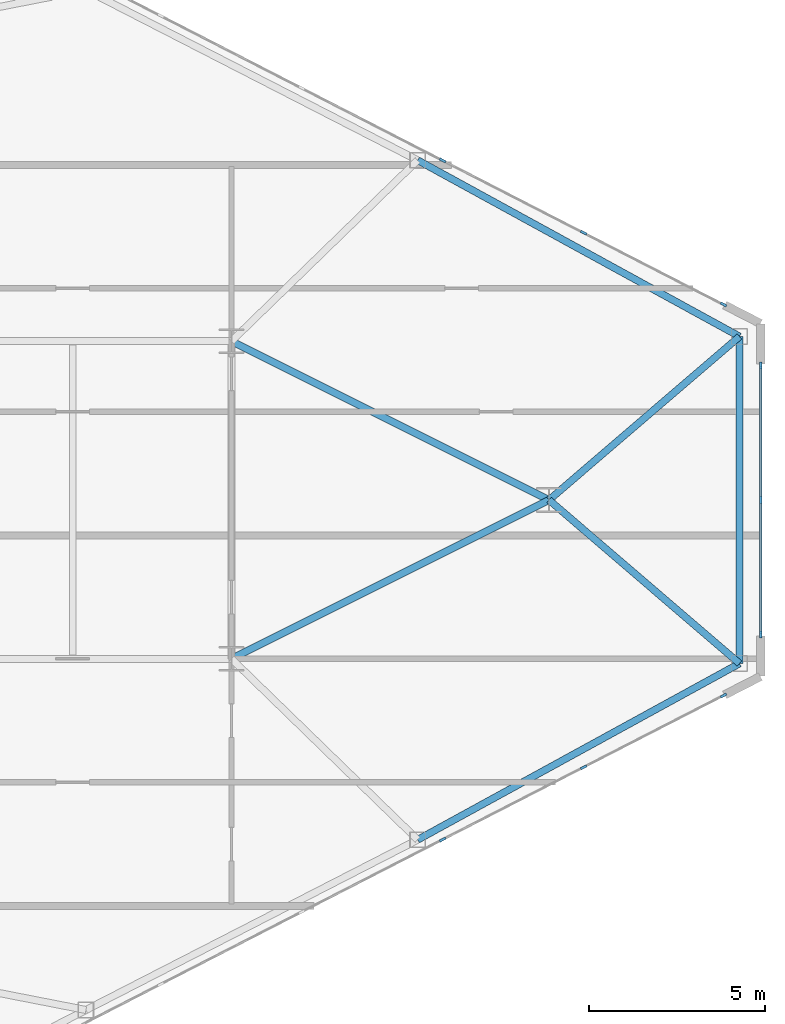
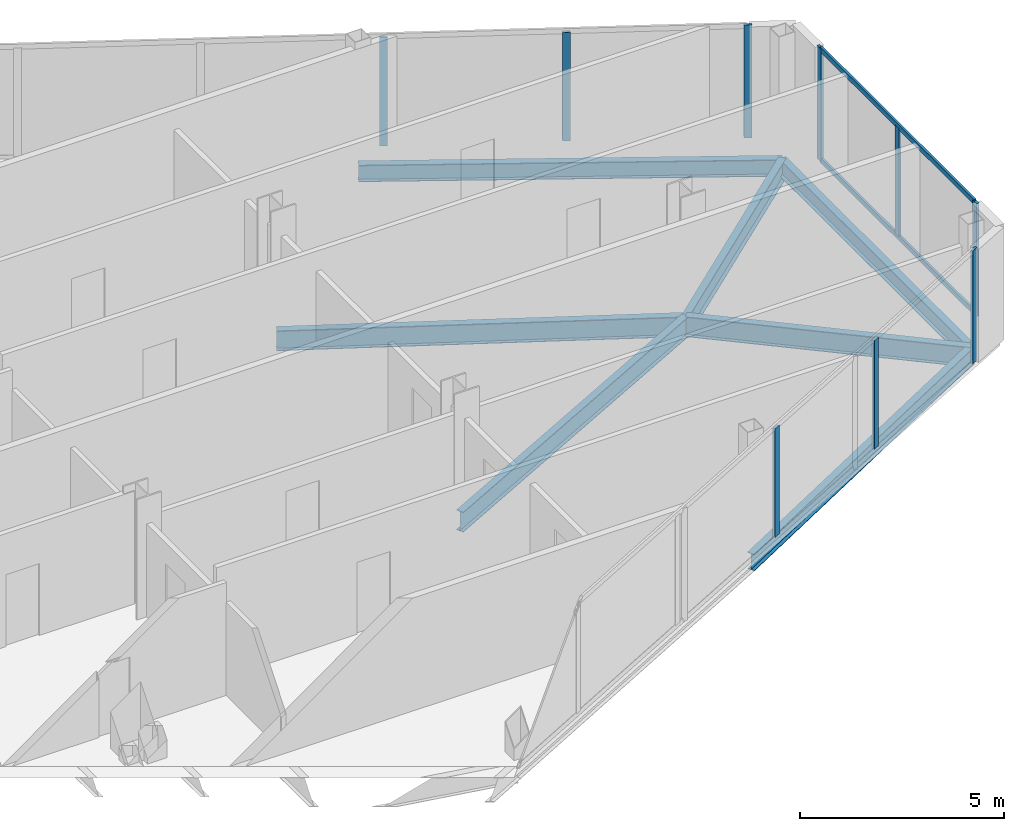
# One storey, part 13 of 23: 11 members, 7 beams, 3 elements without a shape of their own.
"""IFC4 building model written with IfcOpenShell, lengths in metres."""

from ifc_helpers import new_model, si_unit, direction, frame, origin, origin_2d, place, context, subcontext, project, spatial, rectangle, i_section, extrude, source, transform, mapped, material, layer, layer_set, material_profile, profile_set, type_object, type_shapes, element, aggregate, save


model = new_model("IFC4")

# Units and contexts
model_context = context("Model", 3, precision=1e-05, world=origin(), true_north=direction((0.0, 1.0)))
body_context = subcontext(model_context, "Body", "Model", "MODEL_VIEW")
ifc_project = project(units=[si_unit("LENGTHUNIT", "METRE"), si_unit("AREAUNIT", "SQUARE_METRE"), si_unit("VOLUMEUNIT", "CUBIC_METRE"), si_unit("PLANEANGLEUNIT", "RADIAN"), si_unit("MASSUNIT", "GRAM", prefix="KILO")], contexts=[model_context])

# Site, building, storey
site_placement = place(None, origin())
site = spatial("IfcSite", under=ifc_project, at=site_placement, CompositionType="ELEMENT")
building_placement = place(site_placement, origin())
building = spatial("IfcBuilding", under=site, at=building_placement, Name="Seokmaru Belvedere", CompositionType="ELEMENT")
storey_placement = place(building_placement, frame((0.0, 0.0, 147.60009765625)))
storey = spatial("IfcBuildingStorey", under=building, at=storey_placement, Name="L39", CompositionType="ELEMENT", Elevation=147.60009765625)

# Beams
ifc_material_1 = material(Name="Steel SM355 (355 MPa)", Category="steel")
ifc_material_profile_1 = material_profile(ifc_material_1, i_section(OverallWidth=0.199951171875, OverallDepth=0.60009765625, WebThickness=0.010986328125, FlangeThickness=0.01708984375, at=origin_2d()), Name="H-600x200x11x17")
ifc_profile_set_1 = profile_set([ifc_material_profile_1], Name="Steel SM355 (355 MPa)")
beam_type_1 = type_object("IfcBeamType", Name="Primary Floor Girder H-600", PredefinedType="BEAM", material=ifc_profile_set_1)
shared_shape_1 = source(origin(), body_context, "Body", "SweptSolid", [
    extrude(i_section(OverallWidth=0.199951171875, OverallDepth=0.60009765625, WebThickness=0.010986328125, FlangeThickness=0.01708984375, at=origin_2d()), origin(), (0.0, 0.0, 1.0), 10.062255859375),
])
for number, where, z_axis, x_axis, name in (
    (1, (54.5, -4.5, -0.52001953125), (0.894427191, 0.4472135955, 0.0), (-0.4472135955, 0.894427191, 0.0), "L39 E Apex Converging Girder 1"),
    (2, (54.5, 4.5, -0.52001953125), (0.894427191, -0.4472135955, 0.0), (0.4472135955, 0.894427191, 0.0), "L39 E Apex Converging Girder 2"),
):
    element("IfcBeam", number, at=place(storey_placement, frame(where, z_axis=z_axis, x_axis=x_axis)), inside=storey, type_object=beam_type_1, Name=name, PredefinedType="BEAM", context=body_context, shape_type="MappedRepresentation", body=[
        mapped(shared_shape_1, transform((0.0, 0.0, 0.0), scale=1.0)),
    ])
ifc_material_profile_2 = material_profile(ifc_material_1, i_section(OverallWidth=0.199951171875, OverallDepth=0.5, WebThickness=0.010009765625, FlangeThickness=0.01611328125, at=origin_2d()), Name="H-500x200x10x16")
ifc_profile_set_2 = profile_set([ifc_material_profile_2], Name="Steel SM355 (355 MPa)")
beam_type_2 = type_object("IfcBeamType", Name="Perimeter Spandrel Beam H-500", PredefinedType="SPANDREL", material=ifc_profile_set_2)
shared_shape_2 = source(origin(), body_context, "Body", "SweptSolid", [
    extrude(i_section(OverallWidth=0.199951171875, OverallDepth=0.5, WebThickness=0.010009765625, FlangeThickness=0.01611328125, at=origin_2d()), origin(), (0.0, 0.0, 1.0), 10.399658203125),
])
for number, where, z_axis, x_axis, name in (
    (3, (59.778564453125, -9.62890625, -0.47021484375), (0.877082374422, 0.480339992587, 0.0), (-0.480339992587, 0.877082374422, 0.0), "L39 E Faceted Flank Spandrel S-4"),
    (4, (59.778564453125, 9.62890625, -0.47021484375), (0.877082374422, -0.480339992587, 0.0), (0.480339992587, 0.877082374422, 0.0), "L39 E Faceted Flank Spandrel N-4"),
):
    element("IfcBeam", number, at=place(storey_placement, frame(where, z_axis=z_axis, x_axis=x_axis)), inside=storey, type_object=beam_type_2, Name=name, PredefinedType="SPANDREL", context=body_context, shape_type="MappedRepresentation", body=[
        mapped(shared_shape_2, transform((0.0, 0.0, 0.0), scale=1.0)),
    ])
shared_shape_3 = source(origin(), body_context, "Body", "SweptSolid", [
    extrude(i_section(OverallWidth=0.199951171875, OverallDepth=0.5, WebThickness=0.010009765625, FlangeThickness=0.01611328125, at=origin_2d()), origin(), (0.0, 0.0, 1.0), 9.26708984375),
])
type_shapes(beam_type_2, [shared_shape_2, shared_shape_3])
beam_placement = place(storey_placement, frame((68.89990234375, -4.633544921875, -0.47021484375), z_axis=(0.0, 1.0, 0.0), x_axis=(-1.0, 0.0, 0.0)))
element("IfcBeam", 5, at=beam_placement, inside=storey, type_object=beam_type_2, Name="L39 E Faceted Apex Spandrel", PredefinedType="SPANDREL", context=body_context, shape_type="MappedRepresentation", body=[
    mapped(shared_shape_3, transform((0.0, 0.0, 0.0), scale=1.0)),
])
shared_shape_4 = source(origin(), body_context, "Body", "SweptSolid", [
    extrude(i_section(OverallWidth=0.199951171875, OverallDepth=0.60009765625, WebThickness=0.010986328125, FlangeThickness=0.01708984375, at=origin_2d()), origin(), (0.0, 0.0, 1.0), 7.115478515625),
])
type_shapes(beam_type_1, [shared_shape_1, shared_shape_4])
for number, where, z_axis, x_axis, name in (
    (6, (68.89990234375, -4.633544921875, -0.52001953125), (-0.758905301881, 0.651201000289, 0.0), (-0.651201000289, -0.758905301881, 0.0), "L39 E Apex Radial Floor Girder 1"),
    (7, (68.89990234375, 4.633544921875, -0.52001953125), (-0.758905301881, -0.651201000289, 0.0), (0.651201000289, -0.758905301881, 0.0), "L39 E Apex Radial Floor Girder 2"),
):
    element("IfcBeam", number, at=place(storey_placement, frame(where, z_axis=z_axis, x_axis=x_axis)), inside=storey, type_object=beam_type_1, Name=name, PredefinedType="BEAM", context=body_context, shape_type="MappedRepresentation", body=[
        mapped(shared_shape_4, transform((0.0, 0.0, 0.0), scale=1.0)),
    ])

# Curtain wall, member
ifc_material_2 = material(Name="Bronze Triple Insulating Glass", Category="glass")
ifc_layer = layer(ifc_material_2, 0.195068359375)
ifc_layer_set = layer_set([ifc_layer], Name="Bronze Triple Insulating Glass")
curtain_wall_type = type_object("IfcCurtainWallType", Name="Sky-Lobby and Mid-Rise Curtain Wall System CW-4", PredefinedType="NOTDEFINED", material=ifc_layer_set)
curtain_wall_1_placement = place(storey_placement, origin())
curtain_wall_1 = element("IfcCurtainWall", 8, at=curtain_wall_1_placement, inside=storey, type_object=curtain_wall_type, Name="L39 Curtain Wall EF1", PredefinedType="NOTDEFINED")
ifc_material_3 = material(Name="Anodised Bronze Aluminium", Category="aluminium")
ifc_material_profile_3 = material_profile(ifc_material_3, rectangle(XDim=0.070068359375, YDim=0.195068359375, at=origin_2d()), Name="CW-M-70x195")
ifc_profile_set_3 = profile_set([ifc_material_profile_3], Name="Anodised Bronze Aluminium")
member_type_1 = type_object("IfcMemberType", Name="Bronze Unitised Mullion 70x195", PredefinedType="MULLION", material=ifc_profile_set_3)
shared_shape_5 = source(origin(), body_context, "Body", "SweptSolid", [
    extrude(rectangle(XDim=0.070068359375, YDim=0.195068359375, at=origin_2d()), origin(), (0.0, 0.0, 1.0), 3.3798828125),
])
member_1_placement = place(storey_placement, frame((68.44580078125, -5.541015625, 0.0), z_axis=(0.0, 0.0, 1.0), x_axis=(-0.456554528263, 0.889695432562, 0.0)))
member_1 = element("IfcMember", 9, at=member_1_placement, type_object=member_type_1, Name="CW:L39:EF1 Mullion 10", PredefinedType="MULLION", context=body_context, shape_type="MappedRepresentation", body=[
    mapped(shared_shape_5, transform((0.0, 0.0, 0.0), scale=1.0)),
])

# Curtain wall, members
curtain_wall_2_placement = place(storey_placement, origin())
curtain_wall_2 = element("IfcCurtainWall", 10, at=curtain_wall_2_placement, inside=storey, type_object=curtain_wall_type, Name="L39 Curtain Wall EF2", PredefinedType="NOTDEFINED")
member_2_placement = place(storey_placement, frame((69.5, -3.81494140625, 0.0), z_axis=(0.0, 0.0, 1.0), x_axis=(-1.0, 0.0, 0.0)))
member_2 = element("IfcMember", 11, at=member_2_placement, type_object=member_type_1, Name="CW:L39:EF2 Mullion 1", PredefinedType="MULLION", context=body_context, shape_type="MappedRepresentation", body=[
    mapped(shared_shape_5, transform((0.0, 0.0, 0.0), scale=1.0)),
])
member_3_placement = place(storey_placement, frame((69.5, 3.81494140625, 0.0), z_axis=(0.0, 0.0, 1.0), x_axis=(-1.0, 0.0, 0.0)))
member_3 = element("IfcMember", 12, at=member_3_placement, type_object=member_type_1, Name="CW:L39:EF2 Mullion 3", PredefinedType="MULLION", context=body_context, shape_type="MappedRepresentation", body=[
    mapped(shared_shape_5, transform((0.0, 0.0, 0.0), scale=1.0)),
])

# Curtain wall, member
curtain_wall_3_placement = place(storey_placement, origin())
curtain_wall_3 = element("IfcCurtainWall", 13, at=curtain_wall_3_placement, inside=storey, type_object=curtain_wall_type, Name="L39 Curtain Wall EF3", PredefinedType="NOTDEFINED")
member_4_placement = place(storey_placement, frame((68.44580078125, 5.541015625, 0.0), z_axis=(0.0, 0.0, 1.0), x_axis=(-0.456554528263, -0.889695432562, 0.0)))
member_4 = element("IfcMember", 14, at=member_4_placement, type_object=member_type_1, Name="CW:L39:EF3 Mullion 1", PredefinedType="MULLION", context=body_context, shape_type="MappedRepresentation", body=[
    mapped(shared_shape_5, transform((0.0, 0.0, 0.0), scale=1.0)),
])

# Member
shared_shape_6 = source(origin(), body_context, "Body", "SweptSolid", [
    extrude(rectangle(XDim=0.070068359375, YDim=0.195068359375, at=origin_2d()), origin(), (0.0, 0.0, 1.0), 3.25),
])
type_shapes(member_type_1, [shared_shape_5, shared_shape_6])
member_5_placement = place(storey_placement, frame((60.4873046875, -9.625, 0.06494140625), z_axis=(0.0, 0.0, 1.0), x_axis=(-0.456554528263, 0.889695432562, 0.0)))
member_5 = element("IfcMember", 15, at=member_5_placement, type_object=member_type_1, Name="CW:L39:EF1 Mullion 8", PredefinedType="MULLION", context=body_context, shape_type="MappedRepresentation", body=[
    mapped(shared_shape_6, transform((0.0, 0.0, 0.0), scale=1.0)),
])

member_6_placement = place(storey_placement, frame((64.48193359375, -7.574951171875, 0.06494140625), z_axis=(0.0, 0.0, 1.0), x_axis=(-0.456554528263, 0.889695432562, 0.0)))
member_6 = element("IfcMember", 16, at=member_6_placement, type_object=member_type_1, Name="CW:L39:EF1 Mullion 9", PredefinedType="MULLION", context=body_context, shape_type="MappedRepresentation", body=[
    mapped(shared_shape_6, transform((0.0, 0.0, 0.0), scale=1.0)),
])

aggregate(curtain_wall_1, [member_5, member_6, member_1])

member_7_placement = place(storey_placement, frame((69.5, 0.0, 0.06494140625), z_axis=(0.0, 0.0, 1.0), x_axis=(-1.0, 0.0, 0.0)))
member_7 = element("IfcMember", 17, at=member_7_placement, type_object=member_type_1, Name="CW:L39:EF2 Mullion 2", PredefinedType="MULLION", context=body_context, shape_type="MappedRepresentation", body=[
    mapped(shared_shape_6, transform((0.0, 0.0, 0.0), scale=1.0)),
])

member_8_placement = place(storey_placement, frame((64.48193359375, 7.574951171875, 0.06494140625), z_axis=(0.0, 0.0, 1.0), x_axis=(-0.456554528263, -0.889695432562, 0.0)))
member_8 = element("IfcMember", 18, at=member_8_placement, type_object=member_type_1, Name="CW:L39:EF3 Mullion 2", PredefinedType="MULLION", context=body_context, shape_type="MappedRepresentation", body=[
    mapped(shared_shape_6, transform((0.0, 0.0, 0.0), scale=1.0)),
])

member_9_placement = place(storey_placement, frame((60.4873046875, 9.625, 0.06494140625), z_axis=(0.0, 0.0, 1.0), x_axis=(-0.456554528263, -0.889695432562, 0.0)))
member_9 = element("IfcMember", 19, at=member_9_placement, type_object=member_type_1, Name="CW:L39:EF3 Mullion 3", PredefinedType="MULLION", context=body_context, shape_type="MappedRepresentation", body=[
    mapped(shared_shape_6, transform((0.0, 0.0, 0.0), scale=1.0)),
])

aggregate(curtain_wall_3, [member_4, member_8, member_9])

ifc_material_profile_4 = material_profile(ifc_material_3, rectangle(XDim=0.06494140625, YDim=0.14990234375, at=origin_2d()), Name="CW-T-65x150")
ifc_profile_set_4 = profile_set([ifc_material_profile_4], Name="Anodised Bronze Aluminium")
member_type_2 = type_object("IfcMemberType", Name="Bronze Unitised Transom 65x150", PredefinedType="USERDEFINED", material=ifc_profile_set_4)
shared_shape_7 = source(origin(), body_context, "Body", "SweptSolid", [
    extrude(rectangle(XDim=0.06494140625, YDim=0.14990234375, at=origin_2d()), origin(), (0.0, 0.0, 1.0), 7.56005859375),
])
type_shapes(member_type_2, [shared_shape_7])
member_10_placement = place(storey_placement, frame((69.5, -3.780029296875, 0.032470703125), z_axis=(0.0, 1.0, 0.0), x_axis=(-1.0, 0.0, 0.0)))
member_10 = element("IfcMember", 20, at=member_10_placement, type_object=member_type_2, Name="CW:L39:EF2 Continuous Transom 1", ObjectType="TRANSOM", PredefinedType="USERDEFINED", context=body_context, shape_type="MappedRepresentation", body=[
    mapped(shared_shape_7, transform((0.0, 0.0, 0.0), scale=1.0)),
])

member_11_placement = place(storey_placement, frame((69.5, -3.780029296875, 3.347412109375), z_axis=(0.0, 1.0, 0.0), x_axis=(-1.0, 0.0, 0.0)))
member_11 = element("IfcMember", 21, at=member_11_placement, type_object=member_type_2, Name="CW:L39:EF2 Continuous Transom 2", ObjectType="TRANSOM", PredefinedType="USERDEFINED", context=body_context, shape_type="MappedRepresentation", body=[
    mapped(shared_shape_7, transform((0.0, 0.0, 0.0), scale=1.0)),
])

aggregate(curtain_wall_2, [member_2, member_7, member_3, member_10, member_11])

save(model, "model.ifc")
